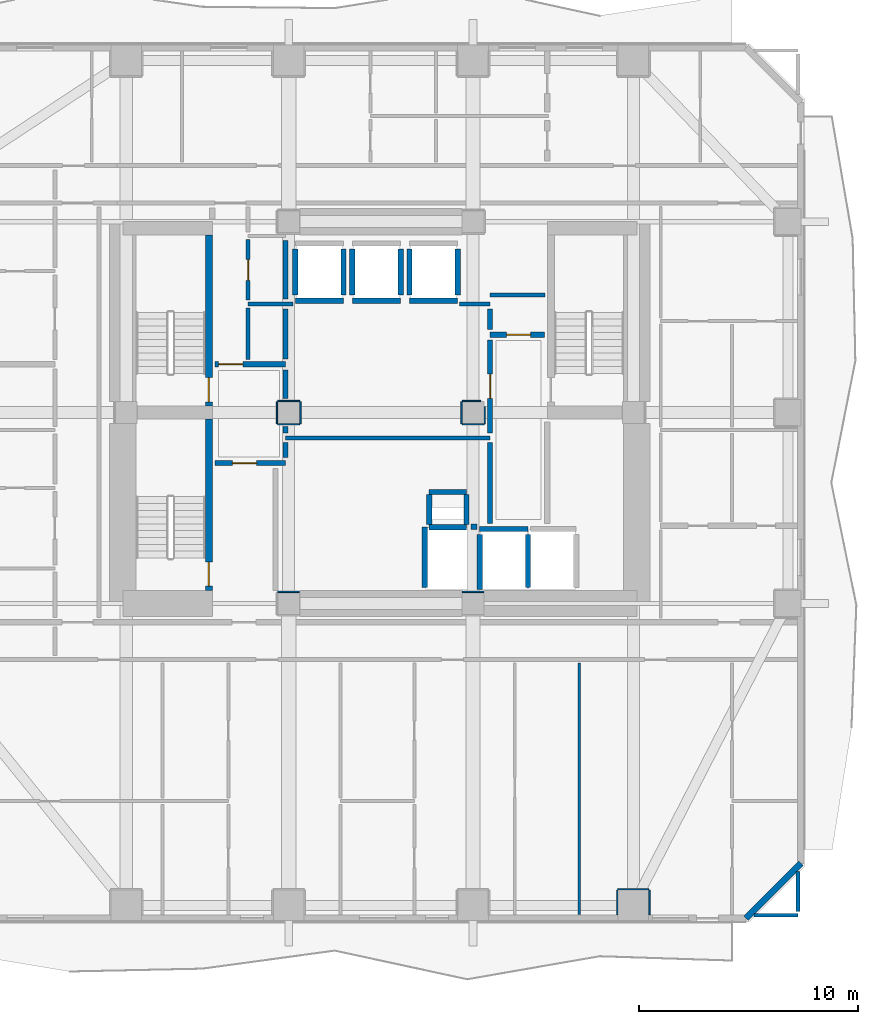
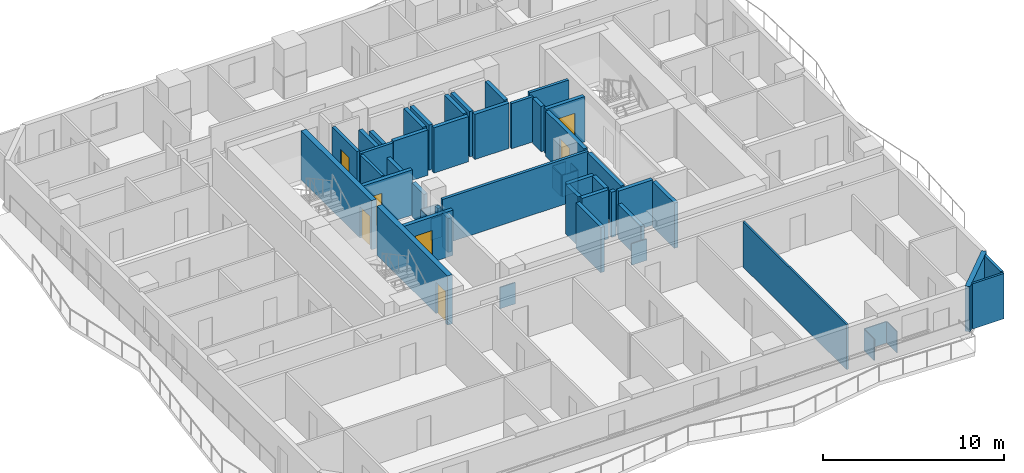
# One storey, part 4 of 11: 54 walls, 7 doors, 7 openings.
"""IFC4 building model written with IfcOpenShell, lengths in metres."""

from ifc_helpers import new_model, si_unit, direction, frame, frame_2d, origin, place, context, subcontext, project, spatial, rectangle, extrude, material, layer, layer_set, type_object, element, fill, save


model = new_model("IFC4")

# Units and contexts
model_context = context("Model", 3, precision=1e-05, world=origin(), true_north=direction((0.0, 1.0)))
body_context = subcontext(model_context, "Body", "Model", "MODEL_VIEW")
ifc_project = project(units=[si_unit("LENGTHUNIT", "METRE"), si_unit("AREAUNIT", "SQUARE_METRE"), si_unit("VOLUMEUNIT", "CUBIC_METRE"), si_unit("PLANEANGLEUNIT", "RADIAN"), si_unit("MASSUNIT", "GRAM", prefix="KILO")], contexts=[model_context])

# Site, building, storey
site_placement = place(None, origin())
site = spatial("IfcSite", under=ifc_project, at=site_placement, CompositionType="ELEMENT")
building_placement = place(site_placement, origin())
building = spatial("IfcBuilding", under=site, at=building_placement, Name="Solanera Arch Residences", CompositionType="ELEMENT")
storey_placement = place(building_placement, frame((0.0, 0.0, 25.320068359375)))
storey = spatial("IfcBuildingStorey", under=building, at=storey_placement, Name="L06", CompositionType="ELEMENT", Elevation=25.320068359375)

# Walls
ifc_material_1 = material(Name="Fire-Rated Gypsum Stud Partition", Category="gypsum")
ifc_layer_1 = layer(ifc_material_1, 0.06005859375)
ifc_layer_set_1 = layer_set([ifc_layer_1], Name="Fire-Rated Gypsum Stud Partition")
wall_type_1 = type_object("IfcWallType", Name="Column Acoustic Furring Wall 60", PredefinedType="PARTITIONING", material=ifc_layer_set_1)
wall_1_placement = place(storey_placement, frame((20.300048828125, 22.531982421875, 0.0), z_axis=(0.0, 0.0, 1.0), x_axis=(1.0, 0.0, 0.0)))
element("IfcWall", 1, at=wall_1_placement, inside=storey, type_object=wall_type_1, Name="L06 Column Furring 1N", PredefinedType="PARTITIONING", context=body_context, shape_type="SweptSolid", body=[
    extrude(rectangle(XDim=0.989990234375, YDim=0.06005859375, at=frame_2d((0.4951171875, 0.0))), origin(), (0.0, 0.0, 1.0), 1.449951171875),
])
wall_2_placement = place(storey_placement, frame((28.7099609375, 22.531982421875, 0.0), z_axis=(0.0, 0.0, 1.0), x_axis=(1.0, 0.0, 0.0)))
element("IfcWall", 2, at=wall_2_placement, inside=storey, type_object=wall_type_1, Name="L06 Column Furring 2N", PredefinedType="PARTITIONING", context=body_context, shape_type="SweptSolid", body=[
    extrude(rectangle(XDim=0.97998046875, YDim=0.06005859375, at=frame_2d((0.489990234375, 0.0))), origin(), (0.0, 0.0, 1.0), 1.449951171875),
])
for number, where, z_axis, x_axis, name in (
    (3, (20.300048828125, 30.16796875, 0.0), (0.0, 0.0, 1.0), (1.0, 0.0, 0.0), "L06 Column Furring 7S"),
    (4, (20.300048828125, 31.23193359375, 0.0), (0.0, 0.0, 1.0), (1.0, 0.0, 0.0), "L06 Column Furring 7N"),
    (5, (20.26806640625, 30.199951171875, 0.0), (0.0, 0.0, 1.0), (0.0, 1.0, 0.0), "L06 Column Furring 7W"),
    (6, (21.33203125, 30.199951171875, 0.0), (0.0, 0.0, 1.0), (0.0, 1.0, 0.0), "L06 Column Furring 7E"),
    (7, (28.699951171875, 30.16796875, 0.0), (0.0, 0.0, 1.0), (1.0, 0.0, 0.0), "L06 Column Furring 8S"),
):
    element("IfcWall", number, at=place(storey_placement, frame(where, z_axis=z_axis, x_axis=x_axis)), inside=storey, type_object=wall_type_1, Name=name, PredefinedType="PARTITIONING", context=body_context, shape_type="SweptSolid", body=[
        extrude(rectangle(XDim=1.0, YDim=0.06005859375, at=frame_2d((0.5, 0.0))), origin(), (0.0, 0.0, 1.0), 1.449951171875),
    ])
wall_3_placement = place(storey_placement, frame((28.699951171875, 31.23193359375, 0.0), z_axis=(0.0, 0.0, 1.0), x_axis=(1.0, 0.0, 0.0)))
element("IfcWall", 8, at=wall_3_placement, inside=storey, type_object=wall_type_1, Name="L06 Column Furring 8N", PredefinedType="PARTITIONING", context=body_context, shape_type="SweptSolid", body=[
    extrude(rectangle(XDim=0.841064453125, YDim=0.06005859375, at=frame_2d((0.42041015625, 0.0))), origin(), (0.0, 0.0, 1.0), 1.449951171875),
])
wall_4_placement = place(storey_placement, frame((28.66796875, 30.199951171875, 0.0), z_axis=(0.0, 0.0, 1.0), x_axis=(0.0, 1.0, 0.0)))
element("IfcWall", 9, at=wall_4_placement, inside=storey, type_object=wall_type_1, Name="L06 Column Furring 8W", PredefinedType="PARTITIONING", context=body_context, shape_type="SweptSolid", body=[
    extrude(rectangle(XDim=1.0, YDim=0.06005859375, at=frame_2d((0.5, 0.0))), origin(), (0.0, 0.0, 1.0), 1.449951171875),
])
wall_5_placement = place(storey_placement, frame((29.73193359375, 30.199951171875, 0.0), z_axis=(0.0, 0.0, 1.0), x_axis=(0.0, 1.0, 0.0)))
element("IfcWall", 10, at=wall_5_placement, inside=storey, type_object=wall_type_1, Name="L06 Column Furring 8E", PredefinedType="PARTITIONING", context=body_context, shape_type="SweptSolid", body=[
    extrude(rectangle(XDim=0.77197265625, YDim=0.06005859375, at=frame_2d((0.385986328125, 0.0))), origin(), (0.0, 0.0, 1.0), 1.449951171875),
])
wall_6_placement = place(storey_placement, frame((35.800048828125, 8.98193359375, 0.0), z_axis=(0.0, 0.0, 1.0), x_axis=(1.0, 0.0, 0.0)))
element("IfcWall", 11, at=wall_6_placement, inside=storey, type_object=wall_type_1, Name="L06 Column Furring 15N", PredefinedType="PARTITIONING", context=body_context, shape_type="SweptSolid", body=[
    extrude(rectangle(XDim=1.39990234375, YDim=0.06005859375, at=frame_2d((0.699951171875, 0.0))), origin(), (0.0, 0.0, 1.0), 1.449951171875),
])
for number, where, z_axis, x_axis, name in (
    (12, (35.76806640625, 7.830078125, 0.0), (0.0, 0.0, 1.0), (0.0, 1.0, 0.0), "L06 Column Furring 15W"),
    (13, (37.23193359375, 7.830078125, 0.0), (0.0, 0.0, 1.0), (0.0, 1.0, 0.0), "L06 Column Furring 15E"),
):
    element("IfcWall", number, at=place(storey_placement, frame(where, z_axis=z_axis, x_axis=x_axis)), inside=storey, type_object=wall_type_1, Name=name, PredefinedType="PARTITIONING", context=body_context, shape_type="SweptSolid", body=[
        extrude(rectangle(XDim=1.119873046875, YDim=0.06005859375, at=frame_2d((0.56005859375, 0.0))), origin(), (0.0, 0.0, 1.0), 1.449951171875),
    ])

# Wall, opening, door
ifc_material_2 = material(Name="Concrete C40/50 (f'c = 45 MPa)", Category="concrete")
ifc_layer_2 = layer(ifc_material_2, 0.320068359375)
ifc_layer_set_2 = layer_set([ifc_layer_2], Name="Concrete C40/50 (f'c = 45 MPa)")
wall_type_2 = type_object("IfcWallType", Name="Core Shear Wall CW-320", PredefinedType="SHEAR", material=ifc_layer_set_2)
wall_7_placement = place(storey_placement, frame((17.159912109375, 31.0, 0.0), z_axis=(0.0, 0.0, 1.0), x_axis=(0.0, 1.0, 0.0)))
wall_7 = element("IfcWall", 14, at=wall_7_placement, inside=storey, type_object=wall_type_2, Name="L06 Stair ST-T1 East Shear Wall", PredefinedType="SHEAR", context=body_context, shape_type="SweptSolid", body=[
    extrude(rectangle(XDim=7.800048828125, YDim=0.320068359375, at=frame_2d((3.89990234375, 0.0))), origin(), (0.0, 0.0, 1.0), 3.31982421875),
])
opening_1_placement = place(wall_7_placement, frame((0.18994140625, 0.0, 0.0)))
opening_1 = element("IfcOpeningElement", 15, at=opening_1_placement, cuts=wall_7, Name="Opening DF-01", PredefinedType="OPENING", context=body_context, shape_type="SweptSolid", body=[
    extrude(rectangle(XDim=1.10009765625, YDim=2.14990234375, at=frame_2d((0.550048828125, 1.074951171875))), frame((0.0, 0.169921875, 0.0), z_axis=(0.0, -1.0, 0.0), x_axis=(1.0, 0.0, 0.0)), (0.0, 0.0, 1.0), 0.3401),
])
ifc_material_3 = material(Name="Fire-Rated Architectural Hardwood", Category="wood")
door_type_1 = type_object("IfcDoorType", Name="Stair Exit Fire Door DF-01", OperationType="NOTDEFINED", PredefinedType="DOOR", material=ifc_material_3)
door_1_placement = place(opening_1_placement, origin())
door_1 = element("IfcDoor", 16, at=door_1_placement, inside=storey, type_object=door_type_1, Name="DR-L06-STAIR-ST-T1", OperationType="SINGLE_SWING_LEFT", OverallHeight=2.14990234375, OverallWidth=1.10009765625, PredefinedType="DOOR", context=body_context, shape_type="SweptSolid", body=[
    extrude(rectangle(XDim=1.10009765625, YDim=2.14990234375, at=frame_2d((0.550048828125, 1.074951171875))), frame((0.0, 0.02490234375, 0.0), z_axis=(0.0, -1.0, 0.0), x_axis=(1.0, 0.0, 0.0)), (0.0, 0.0, 1.0), 0.050048828125),
])
fill(opening_1, door_1)

wall_8_placement = place(storey_placement, frame((17.159912109375, 22.60009765625, 0.0), z_axis=(0.0, 0.0, 1.0), x_axis=(0.0, 1.0, 0.0)))
wall_8 = element("IfcWall", 17, at=wall_8_placement, inside=storey, type_object=wall_type_2, Name="L06 Stair ST-T3 East Shear Wall", PredefinedType="SHEAR", context=body_context, shape_type="SweptSolid", body=[
    extrude(rectangle(XDim=7.7998046875, YDim=0.320068359375, at=frame_2d((3.89990234375, 0.0))), origin(), (0.0, 0.0, 1.0), 3.31982421875),
])
opening_2_placement = place(wall_8_placement, frame((0.18994140625, 0.0, 0.0)))
opening_2 = element("IfcOpeningElement", 18, at=opening_2_placement, cuts=wall_8, Name="Opening DF-01", PredefinedType="OPENING", context=body_context, shape_type="SweptSolid", body=[
    extrude(rectangle(XDim=1.10009765625, YDim=2.14990234375, at=frame_2d((0.550048828125, 1.074951171875))), frame((0.0, 0.169921875, 0.0), z_axis=(0.0, -1.0, 0.0), x_axis=(1.0, 0.0, 0.0)), (0.0, 0.0, 1.0), 0.3401),
])
door_2_placement = place(opening_2_placement, origin())
door_2 = element("IfcDoor", 19, at=door_2_placement, inside=storey, type_object=door_type_1, Name="DR-L06-STAIR-ST-T3", OperationType="SINGLE_SWING_LEFT", OverallHeight=2.14990234375, OverallWidth=1.10009765625, PredefinedType="DOOR", context=body_context, shape_type="SweptSolid", body=[
    extrude(rectangle(XDim=1.10009765625, YDim=2.14990234375, at=frame_2d((0.550048828125, 1.074951171875))), frame((0.0, 0.02490234375, 0.0), z_axis=(0.0, -1.0, 0.0), x_axis=(1.0, 0.0, 0.0)), (0.0, 0.0, 1.0), 0.050048828125),
])
fill(opening_2, door_2)

# Walls
ifc_material_4 = material(Name="Autoclaved Aerated Concrete Blockwork", Category="masonry")
ifc_layer_3 = layer(ifc_material_4, 0.179931640625)
ifc_layer_set_3 = layer_set([ifc_layer_3], Name="Autoclaved Aerated Concrete Blockwork")
wall_type_3 = type_object("IfcWallType", Name="Corridor Fire Partition 180", PredefinedType="PARTITIONING", material=ifc_layer_set_3)
wall_9_placement = place(storey_placement, frame((20.64990234375, 29.550048828125, 0.0), z_axis=(0.0, 0.0, 1.0), x_axis=(1.0, 0.0, 0.0)))
element("IfcWall", 20, at=wall_9_placement, inside=storey, type_object=wall_type_3, Name="L06 Interior Partition H9", PredefinedType="PARTITIONING", context=body_context, shape_type="SweptSolid", body=[
    extrude(rectangle(XDim=9.3251953125, YDim=0.179931640625, at=frame_2d((4.66259765625, 0.0))), origin(), (0.0, 0.0, 1.0), 3.059814453125),
])
wall_10_placement = place(storey_placement, frame((18.949951171875, 35.64990234375, 0.0), z_axis=(0.0, 0.0, 1.0), x_axis=(1.0, 0.0, 0.0)))
element("IfcWall", 21, at=wall_10_placement, inside=storey, type_object=wall_type_3, Name="L06 Interior Partition H10 1", PredefinedType="PARTITIONING", context=body_context, shape_type="SweptSolid", body=[
    extrude(rectangle(XDim=2.05712890625, YDim=0.179931640625, at=frame_2d((1.028564453125, 0.0))), origin(), (0.0, 0.0, 1.0), 3.059814453125),
])
wall_11_placement = place(storey_placement, frame((28.593017578125, 35.64990234375, 0.0), z_axis=(0.0, 0.0, 1.0), x_axis=(1.0, 0.0, 0.0)))
element("IfcWall", 22, at=wall_11_placement, inside=storey, type_object=wall_type_3, Name="L06 Interior Partition H10 2", PredefinedType="PARTITIONING", context=body_context, shape_type="SweptSolid", body=[
    extrude(rectangle(XDim=1.382080078125, YDim=0.179931640625, at=frame_2d((0.69091796875, 0.0))), origin(), (0.0, 0.0, 1.0), 3.059814453125),
])
wall_12_placement = place(storey_placement, frame((29.97509765625, 36.050048828125, 0.0), z_axis=(0.0, 0.0, 1.0), x_axis=(1.0, 0.0, 0.0)))
element("IfcWall", 23, at=wall_12_placement, inside=storey, type_object=wall_type_3, Name="L06 Interior Partition H11", PredefinedType="PARTITIONING", context=body_context, shape_type="SweptSolid", body=[
    extrude(rectangle(XDim=2.5048828125, YDim=0.179931640625, at=frame_2d((1.25244140625, 0.0))), origin(), (0.0, 0.0, 1.0), 3.059814453125),
])
wall_13_placement = place(storey_placement, frame((18.949951171875, 33.117919921875, 0.0), z_axis=(0.0, 0.0, 1.0), x_axis=(0.0, 1.0, 0.0)))
element("IfcWall", 24, at=wall_13_placement, inside=storey, type_object=wall_type_3, Name="L06 Interior Partition V9 1", PredefinedType="PARTITIONING", context=body_context, shape_type="SweptSolid", body=[
    extrude(rectangle(XDim=2.343994140625, YDim=0.179931640625, at=frame_2d((1.171875, 0.0))), origin(), (0.0, 0.0, 1.0), 3.059814453125),
])

# Wall, opening, door
wall_14_placement = place(storey_placement, frame((18.949951171875, 35.837890625, 0.0), z_axis=(0.0, 0.0, 1.0), x_axis=(0.0, 1.0, 0.0)))
wall_14 = element("IfcWall", 25, at=wall_14_placement, inside=storey, type_object=wall_type_3, Name="L06 Interior Partition V9 2", PredefinedType="PARTITIONING", context=body_context, shape_type="SweptSolid", body=[
    extrude(rectangle(XDim=2.744140625, YDim=0.179931640625, at=frame_2d((1.3720703125, 0.0))), origin(), (0.0, 0.0, 1.0), 3.059814453125),
])
opening_3_placement = place(wall_14_placement, frame((0.886962890625, 0.0, 0.0)))
opening_3 = element("IfcOpeningElement", 26, at=opening_3_placement, cuts=wall_14, Name="Opening DI-04", PredefinedType="OPENING", context=body_context, shape_type="SweptSolid", body=[
    extrude(rectangle(XDim=0.949951171875, YDim=2.10009765625, at=frame_2d((0.47509765625, 1.050048828125))), frame((0.0, 0.10009765625, 0.0), z_axis=(0.0, -1.0, 0.0), x_axis=(1.0, 0.0, 0.0)), (0.0, 0.0, 1.0), 0.1999),
])
ifc_material_5 = material(Name="Fire-Rated Architectural Hardwood", Category="wood")
door_type_2 = type_object("IfcDoorType", Name="Accessible Restroom Door DI-04", OperationType="NOTDEFINED", PredefinedType="DOOR", material=ifc_material_5)
door_3_placement = place(opening_3_placement, origin())
door_3 = element("IfcDoor", 27, at=door_3_placement, inside=storey, type_object=door_type_2, Name="DR-L06-IN-012", OperationType="SINGLE_SWING_RIGHT", OverallHeight=2.10009765625, OverallWidth=0.949951171875, PredefinedType="DOOR", context=body_context, shape_type="SweptSolid", body=[
    extrude(rectangle(XDim=0.949951171875, YDim=2.10009765625, at=frame_2d((0.47509765625, 1.050048828125))), frame((0.0, 0.02490234375, 0.0), z_axis=(0.0, -1.0, 0.0), x_axis=(1.0, 0.0, 0.0)), (0.0, 0.0, 1.0), 0.050048828125),
])
fill(opening_3, door_3)

# Walls
wall_15_placement = place(storey_placement, frame((44.0, 7.968017578125, 0.0), z_axis=(0.0, 0.0, 1.0), x_axis=(0.0, 1.0, 0.0)))
element("IfcWall", 28, at=wall_15_placement, inside=storey, type_object=wall_type_3, Name="L06 Interior Partition V10 1", PredefinedType="PARTITIONING", context=body_context, shape_type="SweptSolid", body=[
    extrude(rectangle(XDim=1.8330078125, YDim=0.179931640625, at=frame_2d((0.91650390625, 0.0))), origin(), (0.0, 0.0, 1.0), 3.059814453125),
])
ifc_material_6 = material(Name="Precast Concrete C35/45", Category="concrete")
ifc_layer_4 = layer(ifc_material_6, 0.300048828125)
ifc_layer_set_4 = layer_set([ifc_layer_4], Name="Precast Concrete C35/45")
wall_type_4 = type_object("IfcWallType", Name="Exterior Wall Precast Masonry-Frame 300", PredefinedType="STANDARD", material=ifc_layer_set_4)
wall_16_placement = place(storey_placement, frame((44.135009765625, 10.1650390625, 0.0), z_axis=(0.0, 0.0, 1.0), x_axis=(-0.707106781187, -0.707106781187, 0.0)))
element("IfcWall", 29, at=wall_16_placement, inside=storey, type_object=wall_type_4, Name="L06 Tower Exterior Precast Masonry-Frame Wall CH5", PredefinedType="STANDARD", context=body_context, shape_type="SweptSolid", body=[
    extrude(rectangle(XDim=3.53564453125, YDim=0.300048828125, at=frame_2d((1.767822265625, 0.0))), origin(), (0.0, 0.0, 1.0), 3.059814453125),
])
ifc_material_7 = material(Name="Concrete C40/50 (f'c = 45 MPa)", Category="concrete")
ifc_layer_5 = layer(ifc_material_7, 0.239990234375)
ifc_layer_set_5 = layer_set([ifc_layer_5], Name="Concrete C40/50 (f'c = 45 MPa)")
wall_type_5 = type_object("IfcWallType", Name="Ramp Bearing Shear Wall RW-240", PredefinedType="SHEAR", material=ifc_layer_set_5)
for number, where, z_axis, x_axis, name in (
    (30, (27.199951171875, 25.47998046875, 0.0), (0.0, 0.0, 1.0), (1.0, 0.0, 0.0), "L06 Core MEP Riser South Shaft Wall"),
    (31, (27.199951171875, 27.080078125, 0.0), (0.0, 0.0, 1.0), (1.0, 0.0, 0.0), "L06 Core MEP Riser North Shaft Wall"),
):
    element("IfcWall", number, at=place(storey_placement, frame(where, z_axis=z_axis, x_axis=x_axis)), inside=storey, type_object=wall_type_5, Name=name, PredefinedType="SHEAR", context=body_context, shape_type="SweptSolid", body=[
        extrude(rectangle(XDim=1.699951171875, YDim=0.239990234375, at=frame_2d((0.85009765625, 0.0))), origin(), (0.0, 0.0, 1.0), 3.31982421875),
    ])
for number, where, z_axis, x_axis, name in (
    (32, (27.199951171875, 25.60009765625, 0.0), (0.0, 0.0, 1.0), (0.0, 1.0, 0.0), "L06 Core MEP Riser West Shaft Wall"),
    (33, (28.89990234375, 25.60009765625, 0.0), (0.0, 0.0, 1.0), (0.0, 1.0, 0.0), "L06 Core MEP Riser East Shaft Wall"),
):
    element("IfcWall", number, at=place(storey_placement, frame(where, z_axis=z_axis, x_axis=x_axis)), inside=storey, type_object=wall_type_5, Name=name, PredefinedType="SHEAR", context=body_context, shape_type="SweptSolid", body=[
        extrude(rectangle(XDim=1.35986328125, YDim=0.239990234375, at=frame_2d((0.679931640625, 0.0))), origin(), (0.0, 0.0, 1.0), 3.31982421875),
    ])
ifc_material_8 = material(Name="Autoclaved Aerated Concrete Blockwork", Category="masonry")
ifc_layer_6 = layer(ifc_material_8, 0.239990234375)
ifc_layer_set_6 = layer_set([ifc_layer_6], Name="Autoclaved Aerated Concrete Blockwork")
wall_type_6 = type_object("IfcWallType", Name="Shaft Wall Fire-Rated 240", PredefinedType="PARTITIONING", material=ifc_layer_set_6)
wall_17_placement = place(storey_placement, frame((21.10009765625, 35.800048828125, 0.0), z_axis=(0.0, 0.0, 1.0), x_axis=(1.0, 0.0, 0.0)))
element("IfcWall", 34, at=wall_17_placement, inside=storey, type_object=wall_type_6, Name="L06 Lift PL-L1 Hoistway Wall S", PredefinedType="PARTITIONING", context=body_context, shape_type="SweptSolid", body=[
    extrude(rectangle(XDim=2.199951171875, YDim=0.239990234375, at=frame_2d((1.10009765625, 0.0))), origin(), (0.0, 0.0, 1.0), 3.059814453125),
])
wall_18_placement = place(storey_placement, frame((21.10009765625, 36.048095703125, 0.0), z_axis=(0.0, 0.0, 1.0), x_axis=(0.0, 1.0, 0.0)))
element("IfcWall", 35, at=wall_18_placement, inside=storey, type_object=wall_type_6, Name="L06 Lift PL-L1 Hoistway Wall W", PredefinedType="PARTITIONING", context=body_context, shape_type="SweptSolid", body=[
    extrude(rectangle(XDim=2.10400390625, YDim=0.239990234375, at=frame_2d((1.052001953125, 0.0))), origin(), (0.0, 0.0, 1.0), 2.294921875),
])
wall_19_placement = place(storey_placement, frame((23.300048828125, 36.048095703125, 0.0), z_axis=(0.0, 0.0, 1.0), x_axis=(0.0, 1.0, 0.0)))
element("IfcWall", 36, at=wall_19_placement, inside=storey, type_object=wall_type_6, Name="L06 Lift PL-L1 Hoistway Wall E", PredefinedType="PARTITIONING", context=body_context, shape_type="SweptSolid", body=[
    extrude(rectangle(XDim=2.10400390625, YDim=0.239990234375, at=frame_2d((1.052001953125, 0.0))), origin(), (0.0, 0.0, 1.0), 3.059814453125),
])
wall_20_placement = place(storey_placement, frame((23.699951171875, 35.800048828125, 0.0), z_axis=(0.0, 0.0, 1.0), x_axis=(1.0, 0.0, 0.0)))
element("IfcWall", 37, at=wall_20_placement, inside=storey, type_object=wall_type_6, Name="L06 Lift PL-L2 Hoistway Wall S", PredefinedType="PARTITIONING", context=body_context, shape_type="SweptSolid", body=[
    extrude(rectangle(XDim=2.199951171875, YDim=0.239990234375, at=frame_2d((1.10009765625, 0.0))), origin(), (0.0, 0.0, 1.0), 3.059814453125),
])
for number, where, z_axis, x_axis, name in (
    (38, (23.699951171875, 36.048095703125, 0.0), (0.0, 0.0, 1.0), (0.0, 1.0, 0.0), "L06 Lift PL-L2 Hoistway Wall W"),
    (39, (25.89990234375, 36.048095703125, 0.0), (0.0, 0.0, 1.0), (0.0, 1.0, 0.0), "L06 Lift PL-L2 Hoistway Wall E"),
):
    element("IfcWall", number, at=place(storey_placement, frame(where, z_axis=z_axis, x_axis=x_axis)), inside=storey, type_object=wall_type_6, Name=name, PredefinedType="PARTITIONING", context=body_context, shape_type="SweptSolid", body=[
        extrude(rectangle(XDim=2.10400390625, YDim=0.239990234375, at=frame_2d((1.052001953125, 0.0))), origin(), (0.0, 0.0, 1.0), 3.059814453125),
    ])
wall_21_placement = place(storey_placement, frame((26.300048828125, 35.800048828125, 0.0), z_axis=(0.0, 0.0, 1.0), x_axis=(1.0, 0.0, 0.0)))
element("IfcWall", 40, at=wall_21_placement, inside=storey, type_object=wall_type_6, Name="L06 Lift PL-L3 Hoistway Wall S", PredefinedType="PARTITIONING", context=body_context, shape_type="SweptSolid", body=[
    extrude(rectangle(XDim=2.199951171875, YDim=0.239990234375, at=frame_2d((1.10009765625, 0.0))), origin(), (0.0, 0.0, 1.0), 3.059814453125),
])
for number, where, z_axis, x_axis, name in (
    (41, (26.300048828125, 36.048095703125, 0.0), (0.0, 0.0, 1.0), (0.0, 1.0, 0.0), "L06 Lift PL-L3 Hoistway Wall W"),
    (42, (28.5, 36.048095703125, 0.0), (0.0, 0.0, 1.0), (0.0, 1.0, 0.0), "L06 Lift PL-L3 Hoistway Wall E"),
):
    element("IfcWall", number, at=place(storey_placement, frame(where, z_axis=z_axis, x_axis=x_axis)), inside=storey, type_object=wall_type_6, Name=name, PredefinedType="PARTITIONING", context=body_context, shape_type="SweptSolid", body=[
        extrude(rectangle(XDim=2.10400390625, YDim=0.239990234375, at=frame_2d((1.052001953125, 0.0))), origin(), (0.0, 0.0, 1.0), 3.059814453125),
    ])
wall_22_placement = place(storey_placement, frame((29.5, 25.39990234375, 0.0), z_axis=(0.0, 0.0, 1.0), x_axis=(1.0, 0.0, 0.0)))
element("IfcWall", 43, at=wall_22_placement, inside=storey, type_object=wall_type_6, Name="L06 Lift FFL-1 Hoistway Wall N", PredefinedType="PARTITIONING", context=body_context, shape_type="SweptSolid", body=[
    extrude(rectangle(XDim=2.199951171875, YDim=0.239990234375, at=frame_2d((1.10009765625, 0.0))), origin(), (0.0, 0.0, 1.0), 3.059814453125),
])
wall_23_placement = place(storey_placement, frame((29.5, 22.632080078125, 0.0), z_axis=(0.0, 0.0, 1.0), x_axis=(0.0, 1.0, 0.0)))
element("IfcWall", 44, at=wall_23_placement, inside=storey, type_object=wall_type_6, Name="L06 Lift FFL-1 Hoistway Wall W", PredefinedType="PARTITIONING", context=body_context, shape_type="SweptSolid", body=[
    extrude(rectangle(XDim=2.52001953125, YDim=0.239990234375, at=frame_2d((1.260009765625, 0.0))), origin(), (0.0, 0.0, 1.0), 2.294921875),
])
wall_24_placement = place(storey_placement, frame((31.699951171875, 22.72998046875, 0.0), z_axis=(0.0, 0.0, 1.0), x_axis=(0.0, 1.0, 0.0)))
element("IfcWall", 45, at=wall_24_placement, inside=storey, type_object=wall_type_6, Name="L06 Lift FFL-1 Hoistway Wall E", PredefinedType="PARTITIONING", context=body_context, shape_type="SweptSolid", body=[
    extrude(rectangle(XDim=2.422119140625, YDim=0.239990234375, at=frame_2d((1.2109375, 0.0))), origin(), (0.0, 0.0, 1.0), 3.059814453125),
])
wall_25_placement = place(storey_placement, frame((29.10302734375, 25.5, 0.0), z_axis=(0.0, 0.0, 1.0), x_axis=(1.0, 0.0, 0.0)))
element("IfcWall", 46, at=wall_25_placement, inside=storey, type_object=wall_type_6, Name="L06 Lift SVL-1 Hoistway Wall N", PredefinedType="PARTITIONING", context=body_context, shape_type="SweptSolid", body=[
    extrude(rectangle(XDim=0.26904296875, YDim=0.239990234375, at=frame_2d((0.134521484375, 0.0))), origin(), (0.0, 0.0, 1.0), 3.059814453125),
])
wall_26_placement = place(storey_placement, frame((27.0, 22.72998046875, 0.0), z_axis=(0.0, 0.0, 1.0), x_axis=(0.0, 1.0, 0.0)))
element("IfcWall", 47, at=wall_26_placement, inside=storey, type_object=wall_type_6, Name="L06 Lift SVL-1 Hoistway Wall W", PredefinedType="PARTITIONING", context=body_context, shape_type="SweptSolid", body=[
    extrude(rectangle(XDim=2.76806640625, YDim=0.239990234375, at=frame_2d((1.384033203125, 0.0))), origin(), (0.0, 0.0, 1.0), 3.059814453125),
])

# Wall, opening, door
wall_27_placement = place(storey_placement, frame((17.449951171875, 28.39990234375, 0.0), z_axis=(0.0, 0.0, 1.0), x_axis=(1.0, 0.0, 0.0)))
wall_27 = element("IfcWall", 48, at=wall_27_placement, inside=storey, type_object=wall_type_6, Name="L06 Interior Partition H4", PredefinedType="PARTITIONING", context=body_context, shape_type="SweptSolid", body=[
    extrude(rectangle(XDim=3.199951171875, YDim=0.239990234375, at=frame_2d((1.60009765625, 0.0))), origin(), (0.0, 0.0, 1.0), 3.059814453125),
])
opening_4_placement = place(wall_27_placement, frame((0.783935546875, 0.0, 0.0)))
opening_4 = element("IfcOpeningElement", 49, at=opening_4_placement, cuts=wall_27, Name="Opening DF-02", PredefinedType="OPENING", context=body_context, shape_type="SweptSolid", body=[
    extrude(rectangle(XDim=1.10009765625, YDim=2.14990234375, at=frame_2d((0.550048828125, 1.074951171875))), frame((0.0, 0.1298828125, 0.0), z_axis=(0.0, -1.0, 0.0), x_axis=(1.0, 0.0, 0.0)), (0.0, 0.0, 1.0), 0.26),
])
ifc_material_9 = material(Name="Fire-Rated Architectural Hardwood", Category="wood")
door_type_3 = type_object("IfcDoorType", Name="Firefighting Lobby Fire Door DF-02", OperationType="NOTDEFINED", PredefinedType="DOOR", material=ifc_material_9)
door_4_placement = place(opening_4_placement, origin())
door_4 = element("IfcDoor", 50, at=door_4_placement, inside=storey, type_object=door_type_3, Name="DR-L06-IN-004", OperationType="SINGLE_SWING_RIGHT", OverallHeight=2.14990234375, OverallWidth=1.10009765625, PredefinedType="DOOR", context=body_context, shape_type="SweptSolid", body=[
    extrude(rectangle(XDim=1.10009765625, YDim=2.14990234375, at=frame_2d((0.550048828125, 1.074951171875))), frame((0.0, 0.02490234375, 0.0), z_axis=(0.0, -1.0, 0.0), x_axis=(1.0, 0.0, 0.0)), (0.0, 0.0, 1.0), 0.050048828125),
])
fill(opening_4, door_4)

wall_28_placement = place(storey_placement, frame((17.449951171875, 32.89990234375, 0.0), z_axis=(0.0, 0.0, 1.0), x_axis=(1.0, 0.0, 0.0)))
wall_28 = element("IfcWall", 51, at=wall_28_placement, inside=storey, type_object=wall_type_6, Name="L06 Interior Partition H6", PredefinedType="PARTITIONING", context=body_context, shape_type="SweptSolid", body=[
    extrude(rectangle(XDim=3.199951171875, YDim=0.239990234375, at=frame_2d((1.60009765625, 0.0))), origin(), (0.0, 0.0, 1.0), 3.059814453125),
])
opening_5_placement = place(wall_28_placement, frame((0.158935546875, 0.0, 0.0)))
opening_5 = element("IfcOpeningElement", 52, at=opening_5_placement, cuts=wall_28, Name="Opening DF-02", PredefinedType="OPENING", context=body_context, shape_type="SweptSolid", body=[
    extrude(rectangle(XDim=1.10009765625, YDim=2.14990234375, at=frame_2d((0.550048828125, 1.074951171875))), frame((0.0, 0.1298828125, 0.0), z_axis=(0.0, -1.0, 0.0), x_axis=(1.0, 0.0, 0.0)), (0.0, 0.0, 1.0), 0.26),
])
door_5_placement = place(opening_5_placement, origin())
door_5 = element("IfcDoor", 53, at=door_5_placement, inside=storey, type_object=door_type_3, Name="DR-L06-IN-005", OperationType="SINGLE_SWING_LEFT", OverallHeight=2.14990234375, OverallWidth=1.10009765625, PredefinedType="DOOR", context=body_context, shape_type="SweptSolid", body=[
    extrude(rectangle(XDim=1.10009765625, YDim=2.14990234375, at=frame_2d((0.550048828125, 1.074951171875))), frame((0.0, 0.02490234375, 0.0), z_axis=(0.0, -1.0, 0.0), x_axis=(1.0, 0.0, 0.0)), (0.0, 0.0, 1.0), 0.050048828125),
])
fill(opening_5, door_5)

wall_29_placement = place(storey_placement, frame((29.97509765625, 34.25, 0.0), z_axis=(0.0, 0.0, 1.0), x_axis=(1.0, 0.0, 0.0)))
wall_29 = element("IfcWall", 54, at=wall_29_placement, inside=storey, type_object=wall_type_6, Name="L06 Interior Partition H7", PredefinedType="PARTITIONING", context=body_context, shape_type="SweptSolid", body=[
    extrude(rectangle(XDim=2.474853515625, YDim=0.239990234375, at=frame_2d((1.2373046875, 0.0))), origin(), (0.0, 0.0, 1.0), 3.059814453125),
])
opening_6_placement = place(wall_29_placement, frame((0.751953125, 0.0, 0.0)))
opening_6 = element("IfcOpeningElement", 55, at=opening_6_placement, cuts=wall_29, Name="Opening DF-02", PredefinedType="OPENING", context=body_context, shape_type="SweptSolid", body=[
    extrude(rectangle(XDim=1.10009765625, YDim=2.14990234375, at=frame_2d((0.550048828125, 1.074951171875))), frame((0.0, 0.1298828125, 0.0), z_axis=(0.0, -1.0, 0.0), x_axis=(1.0, 0.0, 0.0)), (0.0, 0.0, 1.0), 0.26),
])
door_6_placement = place(opening_6_placement, origin())
door_6 = element("IfcDoor", 56, at=door_6_placement, inside=storey, type_object=door_type_3, Name="DR-L06-IN-007", OperationType="SINGLE_SWING_LEFT", OverallHeight=2.14990234375, OverallWidth=1.10009765625, PredefinedType="DOOR", context=body_context, shape_type="SweptSolid", body=[
    extrude(rectangle(XDim=1.10009765625, YDim=2.14990234375, at=frame_2d((0.550048828125, 1.074951171875))), frame((0.0, 0.02490234375, 0.0), z_axis=(0.0, -1.0, 0.0), x_axis=(1.0, 0.0, 0.0)), (0.0, 0.0, 1.0), 0.050048828125),
])
fill(opening_6, door_6)

# Walls
wall_30_placement = place(storey_placement, frame((20.64990234375, 28.64794921875, 0.0), z_axis=(0.0, 0.0, 1.0), x_axis=(0.0, 1.0, 0.0)))
element("IfcWall", 57, at=wall_30_placement, inside=storey, type_object=wall_type_6, Name="L06 Interior Partition V3 1", PredefinedType="PARTITIONING", context=body_context, shape_type="SweptSolid", body=[
    extrude(rectangle(XDim=0.68408203125, YDim=0.239990234375, at=frame_2d((0.342041015625, 0.0))), origin(), (0.0, 0.0, 1.0), 2.294921875),
])
wall_31_placement = place(storey_placement, frame((20.64990234375, 29.76806640625, 0.0), z_axis=(0.0, 0.0, 1.0), x_axis=(0.0, 1.0, 0.0)))
element("IfcWall", 58, at=wall_31_placement, inside=storey, type_object=wall_type_6, Name="L06 Interior Partition V3 2", PredefinedType="PARTITIONING", context=body_context, shape_type="SweptSolid", body=[
    extrude(rectangle(XDim=0.300048828125, YDim=0.239990234375, at=frame_2d((0.14990234375, 0.0))), origin(), (0.0, 0.0, 1.0), 2.294921875),
])
wall_32_placement = place(storey_placement, frame((20.64990234375, 31.33203125, 0.0), z_axis=(0.0, 0.0, 1.0), x_axis=(0.0, 1.0, 0.0)))
element("IfcWall", 59, at=wall_32_placement, inside=storey, type_object=wall_type_6, Name="L06 Interior Partition V3 3", PredefinedType="PARTITIONING", context=body_context, shape_type="SweptSolid", body=[
    extrude(rectangle(XDim=1.320068359375, YDim=0.239990234375, at=frame_2d((0.66015625, 0.0))), origin(), (0.0, 0.0, 1.0), 2.294921875),
])
wall_33_placement = place(storey_placement, frame((20.64990234375, 33.14794921875, 0.0), z_axis=(0.0, 0.0, 1.0), x_axis=(0.0, 1.0, 0.0)))
element("IfcWall", 60, at=wall_33_placement, inside=storey, type_object=wall_type_6, Name="L06 Interior Partition V3 4", PredefinedType="PARTITIONING", context=body_context, shape_type="SweptSolid", body=[
    extrude(rectangle(XDim=2.283935546875, YDim=0.239990234375, at=frame_2d((1.14208984375, 0.0))), origin(), (0.0, 0.0, 1.0), 2.294921875),
])
wall_34_placement = place(storey_placement, frame((20.64990234375, 35.867919921875, 0.0), z_axis=(0.0, 0.0, 1.0), x_axis=(0.0, 1.0, 0.0)))
element("IfcWall", 61, at=wall_34_placement, inside=storey, type_object=wall_type_6, Name="L06 Interior Partition V3 5", PredefinedType="PARTITIONING", context=body_context, shape_type="SweptSolid", body=[
    extrude(rectangle(XDim=2.68408203125, YDim=0.239990234375, at=frame_2d((1.342041015625, 0.0))), origin(), (0.0, 0.0, 1.0), 2.294921875),
])
wall_35_placement = place(storey_placement, frame((29.97509765625, 25.64794921875, 0.0), z_axis=(0.0, 0.0, 1.0), x_axis=(0.0, 1.0, 0.0)))
element("IfcWall", 62, at=wall_35_placement, inside=storey, type_object=wall_type_6, Name="L06 Interior Partition V4 1", PredefinedType="PARTITIONING", context=body_context, shape_type="SweptSolid", body=[
    extrude(rectangle(XDim=3.68408203125, YDim=0.239990234375, at=frame_2d((1.842041015625, 0.0))), origin(), (0.0, 0.0, 1.0), 3.059814453125),
])

# Wall, opening, door
wall_36_placement = place(storey_placement, frame((29.97509765625, 29.76806640625, 0.0), z_axis=(0.0, 0.0, 1.0), x_axis=(0.0, 1.0, 0.0)))
wall_36 = element("IfcWall", 63, at=wall_36_placement, inside=storey, type_object=wall_type_6, Name="L06 Interior Partition V4 2", PredefinedType="PARTITIONING", context=body_context, shape_type="SweptSolid", body=[
    extrude(rectangle(XDim=4.23388671875, YDim=0.239990234375, at=frame_2d((2.116943359375, 0.0))), origin(), (0.0, 0.0, 1.0), 3.059814453125),
])
opening_7_placement = place(wall_36_placement, frame((1.58203125, 0.0, 0.0)))
opening_7 = element("IfcOpeningElement", 64, at=opening_7_placement, cuts=wall_36, Name="Opening DF-02", PredefinedType="OPENING", context=body_context, shape_type="SweptSolid", body=[
    extrude(rectangle(XDim=1.10009765625, YDim=2.14990234375, at=frame_2d((0.550048828125, 1.074951171875))), frame((0.0, 0.1298828125, 0.0), z_axis=(0.0, -1.0, 0.0), x_axis=(1.0, 0.0, 0.0)), (0.0, 0.0, 1.0), 0.26),
])
door_7_placement = place(opening_7_placement, origin())
door_7 = element("IfcDoor", 65, at=door_7_placement, inside=storey, type_object=door_type_3, Name="DR-L06-IN-006", OperationType="SINGLE_SWING_RIGHT", OverallHeight=2.14990234375, OverallWidth=1.10009765625, PredefinedType="DOOR", context=body_context, shape_type="SweptSolid", body=[
    extrude(rectangle(XDim=1.10009765625, YDim=2.14990234375, at=frame_2d((0.550048828125, 1.074951171875))), frame((0.0, 0.02490234375, 0.0), z_axis=(0.0, -1.0, 0.0), x_axis=(1.0, 0.0, 0.0)), (0.0, 0.0, 1.0), 0.050048828125),
])
fill(opening_7, door_7)

# Walls
wall_37_placement = place(storey_placement, frame((29.97509765625, 34.498046875, 0.0), z_axis=(0.0, 0.0, 1.0), x_axis=(0.0, 1.0, 0.0)))
element("IfcWall", 66, at=wall_37_placement, inside=storey, type_object=wall_type_6, Name="L06 Interior Partition V4 3", PredefinedType="PARTITIONING", context=body_context, shape_type="SweptSolid", body=[
    extrude(rectangle(XDim=0.933837890625, YDim=0.239990234375, at=frame_2d((0.466796875, 0.0))), origin(), (0.0, 0.0, 1.0), 3.059814453125),
])
ifc_material_10 = material(Name="Fire-Rated Gypsum Stud Partition", Category="gypsum")
ifc_layer_7 = layer(ifc_material_10, 0.1201171875)
ifc_layer_set_7 = layer_set([ifc_layer_7], Name="Fire-Rated Gypsum Stud Partition")
wall_type_7 = type_object("IfcWallType", Name="Unit Drywall Partition 120", PredefinedType="PARTITIONING", material=ifc_layer_set_7)
wall_38_placement = place(storey_placement, frame((34.0400390625, 7.826904296875, 0.0), z_axis=(0.0, 0.0, 1.0), x_axis=(0.0, 1.0, 0.0)))
element("IfcWall", 67, at=wall_38_placement, inside=storey, type_object=wall_type_7, Name="L06 Interior Partition V29", PredefinedType="PARTITIONING", context=body_context, shape_type="SweptSolid", body=[
    extrude(rectangle(XDim=11.465087890625, YDim=0.1201171875, at=frame_2d((5.732421875, 0.0))), origin(), (0.0, 0.0, 1.0), 3.059814453125),
])
ifc_material_11 = material(Name="Autoclaved Aerated Concrete Blockwork", Category="masonry")
ifc_layer_8 = layer(ifc_material_11, 0.139892578125)
ifc_layer_set_8 = layer_set([ifc_layer_8], Name="Autoclaved Aerated Concrete Blockwork")
wall_type_8 = type_object("IfcWallType", Name="Wet-Room Partition 140", PredefinedType="PARTITIONING", material=ifc_layer_set_8)
wall_39_placement = place(storey_placement, frame((41.9990234375, 7.800048828125, 0.0), z_axis=(0.0, 0.0, 1.0), x_axis=(1.0, 0.0, 0.0)))
element("IfcWall", 68, at=wall_39_placement, inside=storey, type_object=wall_type_8, Name="L06 Interior Partition H14 2", PredefinedType="PARTITIONING", context=body_context, shape_type="SweptSolid", body=[
    extrude(rectangle(XDim=2.0009765625, YDim=0.139892578125, at=frame_2d((1.00048828125, 0.0))), origin(), (0.0, 0.0, 1.0), 3.059814453125),
])

save(model, "model.ifc")
